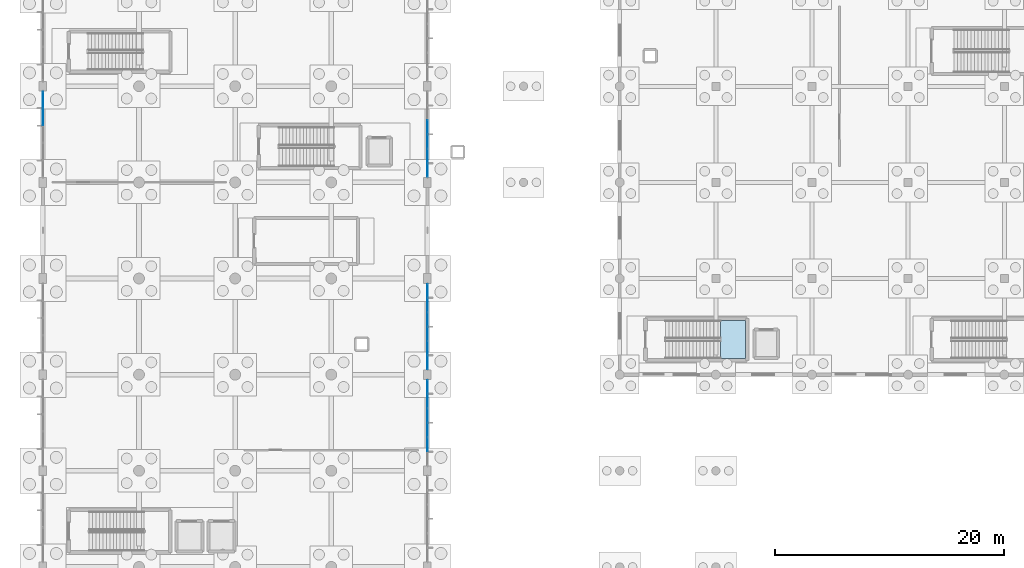
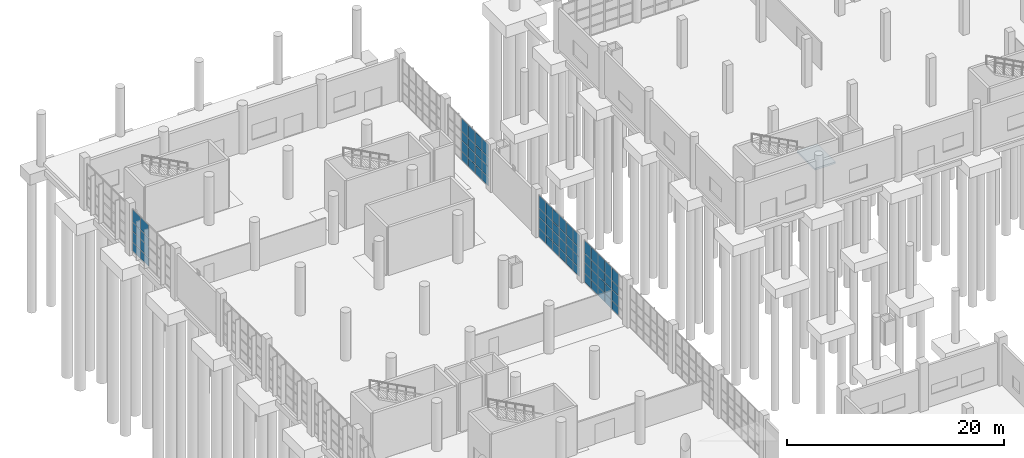
# One storey, part 42 of 83: 68 plates, 1 slab, 5 elements without a shape of their own.
"""IFC4 building model written with IfcOpenShell, lengths in metres."""

from ifc_helpers import new_model, si_unit, direction, frame, origin, origin_2d, place, context, subcontext, project, spatial, polyline, rectangle, outline, extrude, material, layer, layer_set, type_object, element, aggregate, save


model = new_model("IFC4")

# Units and contexts
model_context = context("Model", 3, precision=1e-05, world=origin(), true_north=direction((0.0, 1.0)))
body_context = subcontext(model_context, "Body", "Model", "MODEL_VIEW")
ifc_project = project(units=[si_unit("LENGTHUNIT", "METRE"), si_unit("AREAUNIT", "SQUARE_METRE"), si_unit("VOLUMEUNIT", "CUBIC_METRE"), si_unit("PLANEANGLEUNIT", "RADIAN"), si_unit("MASSUNIT", "GRAM", prefix="KILO"), si_unit("THERMODYNAMICTEMPERATUREUNIT", "KELVIN"), si_unit("POWERUNIT", "WATT")], contexts=[model_context])

# Site, building, storey
site_placement = place(None, origin())
site = spatial("IfcSite", under=ifc_project, at=site_placement, CompositionType="ELEMENT")
building_placement = place(site_placement, origin())
building = spatial("IfcBuilding", under=site, at=building_placement, Name="Mavoryth Pier Ferry Terminal", CompositionType="ELEMENT")
storey_placement = place(building_placement, origin())
storey = spatial("IfcBuildingStorey", under=building, at=storey_placement, Name="L00", CompositionType="ELEMENT", Elevation=0.0)

# Curtain wall, plates
ifc_material_1 = material(Name="Anodised Aluminium and Solar-Control Low-E Glass", Category="aluminium")
ifc_layer_1 = layer(ifc_material_1, 0.199951171875, Name="Anodised Aluminium and Solar-Control Low-E Glass", Category="aluminium")
ifc_layer_set_1 = layer_set([ifc_layer_1], Name="Anodised Aluminium and Solar-Control Low-E Glass - CW-Concourse-Mod1200")
curtain_wall_type_1 = type_object("IfcCurtainWallType", Name="CW-Concourse-Mod1200", PredefinedType="USERDEFINED", material=ifc_layer_set_1)
curtain_wall_1_placement = place(storey_placement, origin())
curtain_wall_1 = element("IfcCurtainWall", 1, at=curtain_wall_1_placement, inside=storey, type_object=curtain_wall_type_1, Name="Curtain Wall CW-0022-014", ObjectType="UNITISED CURTAIN WALL", PredefinedType="USERDEFINED")
ifc_material_2 = material(Name="Solar-Control Low-E Laminated Double Glazing", Category="glass")
ifc_layer_2 = layer(ifc_material_2, 0.02392578125, Name="Solar-Control Low-E Laminated Double Glazing", Category="glass")
ifc_layer_set_2 = layer_set([ifc_layer_2], Name="Solar-Control Low-E Laminated Double Glazing - Panel-LowE-DGU-24")
plate_type = type_object("IfcPlateType", Name="Panel-LowE-DGU-24", PredefinedType="CURTAIN_PANEL", material=ifc_layer_set_2)
plate_1_placement = place(storey_placement, frame((33.60009765625, 66.3125, 0.06005859375), z_axis=(0.0, 0.0, 1.0), x_axis=(0.0, 1.0, 0.0)))
plate_1 = element("IfcPlate", 2, at=plate_1_placement, type_object=plate_type, Name="CW02 panel 2.1", PredefinedType="CURTAIN_PANEL", context=body_context, shape_type="SweptSolid", body=[
    extrude(rectangle(XDim=1.1982421875, YDim=0.02392578125, at=origin_2d()), origin(), (0.0, 0.0, 1.0), 0.9599609375),
])
plate_2_placement = place(storey_placement, frame((33.60009765625, 66.3125, 1.080078125), z_axis=(0.0, 0.0, 1.0), x_axis=(0.0, 1.0, 0.0)))
plate_2 = element("IfcPlate", 3, at=plate_2_placement, type_object=plate_type, Name="CW02 panel 2.2", PredefinedType="CURTAIN_PANEL", context=body_context, shape_type="SweptSolid", body=[
    extrude(rectangle(XDim=1.1982421875, YDim=0.02392578125, at=origin_2d()), origin(), (0.0, 0.0, 1.0), 1.139892578125),
])
plate_3_placement = place(storey_placement, frame((33.60009765625, 66.3125, 2.27978515625), z_axis=(0.0, 0.0, 1.0), x_axis=(0.0, 1.0, 0.0)))
plate_3 = element("IfcPlate", 4, at=plate_3_placement, type_object=plate_type, Name="CW02 panel 2.3", PredefinedType="CURTAIN_PANEL", context=body_context, shape_type="SweptSolid", body=[
    extrude(rectangle(XDim=1.1982421875, YDim=0.02392578125, at=origin_2d()), origin(), (0.0, 0.0, 1.0), 0.989990234375),
])
plate_4_placement = place(storey_placement, frame((33.60009765625, 66.3125, 3.330078125), z_axis=(0.0, 0.0, 1.0), x_axis=(0.0, 1.0, 0.0)))
plate_4 = element("IfcPlate", 5, at=plate_4_placement, type_object=plate_type, Name="CW02 panel 2.4", PredefinedType="CURTAIN_PANEL", context=body_context, shape_type="SweptSolid", body=[
    extrude(rectangle(XDim=1.1982421875, YDim=0.02392578125, at=origin_2d()), origin(), (0.0, 0.0, 1.0), 1.405029296875),
])
plate_5_placement = place(storey_placement, frame((33.60009765625, 67.57080078125, 0.06005859375), z_axis=(0.0, 0.0, 1.0), x_axis=(0.0, 1.0, 0.0)))
plate_5 = element("IfcPlate", 6, at=plate_5_placement, type_object=plate_type, Name="CW02 panel 3.1", PredefinedType="CURTAIN_PANEL", context=body_context, shape_type="SweptSolid", body=[
    extrude(rectangle(XDim=1.1982421875, YDim=0.02392578125, at=origin_2d()), origin(), (0.0, 0.0, 1.0), 0.9599609375),
])
plate_6_placement = place(storey_placement, frame((33.60009765625, 67.57080078125, 1.080078125), z_axis=(0.0, 0.0, 1.0), x_axis=(0.0, 1.0, 0.0)))
plate_6 = element("IfcPlate", 7, at=plate_6_placement, type_object=plate_type, Name="CW02 panel 3.2", PredefinedType="CURTAIN_PANEL", context=body_context, shape_type="SweptSolid", body=[
    extrude(rectangle(XDim=1.1982421875, YDim=0.02392578125, at=origin_2d()), origin(), (0.0, 0.0, 1.0), 1.139892578125),
])
plate_7_placement = place(storey_placement, frame((33.60009765625, 67.57080078125, 2.27978515625), z_axis=(0.0, 0.0, 1.0), x_axis=(0.0, 1.0, 0.0)))
plate_7 = element("IfcPlate", 8, at=plate_7_placement, type_object=plate_type, Name="CW02 panel 3.3", PredefinedType="CURTAIN_PANEL", context=body_context, shape_type="SweptSolid", body=[
    extrude(rectangle(XDim=1.1982421875, YDim=0.02392578125, at=origin_2d()), origin(), (0.0, 0.0, 1.0), 0.989990234375),
])
plate_8_placement = place(storey_placement, frame((33.60009765625, 67.57080078125, 3.330078125), z_axis=(0.0, 0.0, 1.0), x_axis=(0.0, 1.0, 0.0)))
plate_8 = element("IfcPlate", 9, at=plate_8_placement, type_object=plate_type, Name="CW02 panel 3.4", PredefinedType="CURTAIN_PANEL", context=body_context, shape_type="SweptSolid", body=[
    extrude(rectangle(XDim=1.1982421875, YDim=0.02392578125, at=origin_2d()), origin(), (0.0, 0.0, 1.0), 1.405029296875),
])
plate_9_placement = place(storey_placement, frame((33.60009765625, 68.8291015625, 0.06005859375), z_axis=(0.0, 0.0, 1.0), x_axis=(0.0, 1.0, 0.0)))
plate_9 = element("IfcPlate", 10, at=plate_9_placement, type_object=plate_type, Name="CW02 panel 4.1", PredefinedType="CURTAIN_PANEL", context=body_context, shape_type="SweptSolid", body=[
    extrude(rectangle(XDim=1.1982421875, YDim=0.02392578125, at=origin_2d()), origin(), (0.0, 0.0, 1.0), 0.9599609375),
])
plate_10_placement = place(storey_placement, frame((33.60009765625, 68.8291015625, 1.080078125), z_axis=(0.0, 0.0, 1.0), x_axis=(0.0, 1.0, 0.0)))
plate_10 = element("IfcPlate", 11, at=plate_10_placement, type_object=plate_type, Name="CW02 panel 4.2", PredefinedType="CURTAIN_PANEL", context=body_context, shape_type="SweptSolid", body=[
    extrude(rectangle(XDim=1.1982421875, YDim=0.02392578125, at=origin_2d()), origin(), (0.0, 0.0, 1.0), 1.139892578125),
])
plate_11_placement = place(storey_placement, frame((33.60009765625, 68.8291015625, 2.27978515625), z_axis=(0.0, 0.0, 1.0), x_axis=(0.0, 1.0, 0.0)))
plate_11 = element("IfcPlate", 12, at=plate_11_placement, type_object=plate_type, Name="CW02 panel 4.3", PredefinedType="CURTAIN_PANEL", context=body_context, shape_type="SweptSolid", body=[
    extrude(rectangle(XDim=1.1982421875, YDim=0.02392578125, at=origin_2d()), origin(), (0.0, 0.0, 1.0), 0.989990234375),
])
plate_12_placement = place(storey_placement, frame((33.60009765625, 68.8291015625, 3.330078125), z_axis=(0.0, 0.0, 1.0), x_axis=(0.0, 1.0, 0.0)))
plate_12 = element("IfcPlate", 13, at=plate_12_placement, type_object=plate_type, Name="CW02 panel 4.4", PredefinedType="CURTAIN_PANEL", context=body_context, shape_type="SweptSolid", body=[
    extrude(rectangle(XDim=1.1982421875, YDim=0.02392578125, at=origin_2d()), origin(), (0.0, 0.0, 1.0), 1.405029296875),
])
plate_13_placement = place(storey_placement, frame((33.60009765625, 70.08740234375, 0.06005859375), z_axis=(0.0, 0.0, 1.0), x_axis=(0.0, 1.0, 0.0)))
plate_13 = element("IfcPlate", 14, at=plate_13_placement, type_object=plate_type, Name="CW02 panel 5.1", PredefinedType="CURTAIN_PANEL", context=body_context, shape_type="SweptSolid", body=[
    extrude(rectangle(XDim=1.1982421875, YDim=0.02392578125, at=origin_2d()), origin(), (0.0, 0.0, 1.0), 0.9599609375),
])
plate_14_placement = place(storey_placement, frame((33.60009765625, 70.08740234375, 1.080078125), z_axis=(0.0, 0.0, 1.0), x_axis=(0.0, 1.0, 0.0)))
plate_14 = element("IfcPlate", 15, at=plate_14_placement, type_object=plate_type, Name="CW02 panel 5.2", PredefinedType="CURTAIN_PANEL", context=body_context, shape_type="SweptSolid", body=[
    extrude(rectangle(XDim=1.1982421875, YDim=0.02392578125, at=origin_2d()), origin(), (0.0, 0.0, 1.0), 1.139892578125),
])
plate_15_placement = place(storey_placement, frame((33.60009765625, 70.08740234375, 2.27978515625), z_axis=(0.0, 0.0, 1.0), x_axis=(0.0, 1.0, 0.0)))
plate_15 = element("IfcPlate", 16, at=plate_15_placement, type_object=plate_type, Name="CW02 panel 5.3", PredefinedType="CURTAIN_PANEL", context=body_context, shape_type="SweptSolid", body=[
    extrude(rectangle(XDim=1.1982421875, YDim=0.02392578125, at=origin_2d()), origin(), (0.0, 0.0, 1.0), 0.989990234375),
])
plate_16_placement = place(storey_placement, frame((33.60009765625, 70.08740234375, 3.330078125), z_axis=(0.0, 0.0, 1.0), x_axis=(0.0, 1.0, 0.0)))
plate_16 = element("IfcPlate", 17, at=plate_16_placement, type_object=plate_type, Name="CW02 panel 5.4", PredefinedType="CURTAIN_PANEL", context=body_context, shape_type="SweptSolid", body=[
    extrude(rectangle(XDim=1.1982421875, YDim=0.02392578125, at=origin_2d()), origin(), (0.0, 0.0, 1.0), 1.405029296875),
])
plate_17_placement = place(storey_placement, frame((33.60009765625, 71.330810546875, 0.06005859375), z_axis=(0.0, 0.0, 1.0), x_axis=(0.0, 1.0, 0.0)))
plate_17 = element("IfcPlate", 18, at=plate_17_placement, type_object=plate_type, Name="CW02 panel 6.1", PredefinedType="CURTAIN_PANEL", context=body_context, shape_type="SweptSolid", body=[
    extrude(rectangle(XDim=1.168212890625, YDim=0.02392578125, at=origin_2d()), origin(), (0.0, 0.0, 1.0), 0.9599609375),
])
plate_18_placement = place(storey_placement, frame((33.60009765625, 71.330810546875, 1.080078125), z_axis=(0.0, 0.0, 1.0), x_axis=(0.0, 1.0, 0.0)))
plate_18 = element("IfcPlate", 19, at=plate_18_placement, type_object=plate_type, Name="CW02 panel 6.2", PredefinedType="CURTAIN_PANEL", context=body_context, shape_type="SweptSolid", body=[
    extrude(rectangle(XDim=1.168212890625, YDim=0.02392578125, at=origin_2d()), origin(), (0.0, 0.0, 1.0), 1.139892578125),
])
plate_19_placement = place(storey_placement, frame((33.60009765625, 71.330810546875, 2.27978515625), z_axis=(0.0, 0.0, 1.0), x_axis=(0.0, 1.0, 0.0)))
plate_19 = element("IfcPlate", 20, at=plate_19_placement, type_object=plate_type, Name="CW02 panel 6.3", PredefinedType="CURTAIN_PANEL", context=body_context, shape_type="SweptSolid", body=[
    extrude(rectangle(XDim=1.168212890625, YDim=0.02392578125, at=origin_2d()), origin(), (0.0, 0.0, 1.0), 0.989990234375),
])
plate_20_placement = place(storey_placement, frame((33.60009765625, 71.330810546875, 3.330078125), z_axis=(0.0, 0.0, 1.0), x_axis=(0.0, 1.0, 0.0)))
plate_20 = element("IfcPlate", 21, at=plate_20_placement, type_object=plate_type, Name="CW02 panel 6.4", PredefinedType="CURTAIN_PANEL", context=body_context, shape_type="SweptSolid", body=[
    extrude(rectangle(XDim=1.168212890625, YDim=0.02392578125, at=origin_2d()), origin(), (0.0, 0.0, 1.0), 1.405029296875),
])
aggregate(curtain_wall_1, [plate_1, plate_2, plate_3, plate_4, plate_5, plate_6, plate_7, plate_8, plate_9, plate_10, plate_11, plate_12, plate_13, plate_14, plate_15, plate_16, plate_17, plate_18, plate_19, plate_20])

curtain_wall_2_placement = place(storey_placement, origin())
curtain_wall_2 = element("IfcCurtainWall", 22, at=curtain_wall_2_placement, inside=storey, type_object=curtain_wall_type_1, Name="Curtain Wall CW-0022-018", ObjectType="UNITISED CURTAIN WALL", PredefinedType="USERDEFINED")
plate_21_placement = place(storey_placement, frame((33.60009765625, 73.46923828125, 0.06005859375), z_axis=(0.0, 0.0, 1.0), x_axis=(0.0, 1.0, 0.0)))
plate_21 = element("IfcPlate", 23, at=plate_21_placement, type_object=plate_type, Name="CW02 panel 1.1", PredefinedType="CURTAIN_PANEL", context=body_context, shape_type="SweptSolid", body=[
    extrude(rectangle(XDim=1.168212890625, YDim=0.02392578125, at=origin_2d()), origin(), (0.0, 0.0, 1.0), 0.9599609375),
])
plate_22_placement = place(storey_placement, frame((33.60009765625, 73.46923828125, 1.080078125), z_axis=(0.0, 0.0, 1.0), x_axis=(0.0, 1.0, 0.0)))
plate_22 = element("IfcPlate", 24, at=plate_22_placement, type_object=plate_type, Name="CW02 panel 1.2", PredefinedType="CURTAIN_PANEL", context=body_context, shape_type="SweptSolid", body=[
    extrude(rectangle(XDim=1.168212890625, YDim=0.02392578125, at=origin_2d()), origin(), (0.0, 0.0, 1.0), 1.139892578125),
])
plate_23_placement = place(storey_placement, frame((33.60009765625, 73.46923828125, 2.27978515625), z_axis=(0.0, 0.0, 1.0), x_axis=(0.0, 1.0, 0.0)))
plate_23 = element("IfcPlate", 25, at=plate_23_placement, type_object=plate_type, Name="CW02 panel 1.3", PredefinedType="CURTAIN_PANEL", context=body_context, shape_type="SweptSolid", body=[
    extrude(rectangle(XDim=1.168212890625, YDim=0.02392578125, at=origin_2d()), origin(), (0.0, 0.0, 1.0), 0.989990234375),
])
plate_24_placement = place(storey_placement, frame((33.60009765625, 73.46923828125, 3.330078125), z_axis=(0.0, 0.0, 1.0), x_axis=(0.0, 1.0, 0.0)))
plate_24 = element("IfcPlate", 26, at=plate_24_placement, type_object=plate_type, Name="CW02 panel 1.4", PredefinedType="CURTAIN_PANEL", context=body_context, shape_type="SweptSolid", body=[
    extrude(rectangle(XDim=1.168212890625, YDim=0.02392578125, at=origin_2d()), origin(), (0.0, 0.0, 1.0), 1.405029296875),
])
plate_25_placement = place(storey_placement, frame((33.60009765625, 74.71240234375, 0.06005859375), z_axis=(0.0, 0.0, 1.0), x_axis=(0.0, 1.0, 0.0)))
plate_25 = element("IfcPlate", 27, at=plate_25_placement, type_object=plate_type, Name="CW02 panel 2.1", PredefinedType="CURTAIN_PANEL", context=body_context, shape_type="SweptSolid", body=[
    extrude(rectangle(XDim=1.1982421875, YDim=0.02392578125, at=origin_2d()), origin(), (0.0, 0.0, 1.0), 0.9599609375),
])
plate_26_placement = place(storey_placement, frame((33.60009765625, 74.71240234375, 1.080078125), z_axis=(0.0, 0.0, 1.0), x_axis=(0.0, 1.0, 0.0)))
plate_26 = element("IfcPlate", 28, at=plate_26_placement, type_object=plate_type, Name="CW02 panel 2.2", PredefinedType="CURTAIN_PANEL", context=body_context, shape_type="SweptSolid", body=[
    extrude(rectangle(XDim=1.1982421875, YDim=0.02392578125, at=origin_2d()), origin(), (0.0, 0.0, 1.0), 1.139892578125),
])
plate_27_placement = place(storey_placement, frame((33.60009765625, 74.71240234375, 2.27978515625), z_axis=(0.0, 0.0, 1.0), x_axis=(0.0, 1.0, 0.0)))
plate_27 = element("IfcPlate", 29, at=plate_27_placement, type_object=plate_type, Name="CW02 panel 2.3", PredefinedType="CURTAIN_PANEL", context=body_context, shape_type="SweptSolid", body=[
    extrude(rectangle(XDim=1.1982421875, YDim=0.02392578125, at=origin_2d()), origin(), (0.0, 0.0, 1.0), 0.989990234375),
])
plate_28_placement = place(storey_placement, frame((33.60009765625, 74.71240234375, 3.330078125), z_axis=(0.0, 0.0, 1.0), x_axis=(0.0, 1.0, 0.0)))
plate_28 = element("IfcPlate", 30, at=plate_28_placement, type_object=plate_type, Name="CW02 panel 2.4", PredefinedType="CURTAIN_PANEL", context=body_context, shape_type="SweptSolid", body=[
    extrude(rectangle(XDim=1.1982421875, YDim=0.02392578125, at=origin_2d()), origin(), (0.0, 0.0, 1.0), 1.405029296875),
])
plate_29_placement = place(storey_placement, frame((33.60009765625, 75.970947265625, 0.06005859375), z_axis=(0.0, 0.0, 1.0), x_axis=(0.0, 1.0, 0.0)))
plate_29 = element("IfcPlate", 31, at=plate_29_placement, type_object=plate_type, Name="CW02 panel 3.1", PredefinedType="CURTAIN_PANEL", context=body_context, shape_type="SweptSolid", body=[
    extrude(rectangle(XDim=1.1982421875, YDim=0.02392578125, at=origin_2d()), origin(), (0.0, 0.0, 1.0), 0.9599609375),
])
plate_30_placement = place(storey_placement, frame((33.60009765625, 75.970947265625, 1.080078125), z_axis=(0.0, 0.0, 1.0), x_axis=(0.0, 1.0, 0.0)))
plate_30 = element("IfcPlate", 32, at=plate_30_placement, type_object=plate_type, Name="CW02 panel 3.2", PredefinedType="CURTAIN_PANEL", context=body_context, shape_type="SweptSolid", body=[
    extrude(rectangle(XDim=1.1982421875, YDim=0.02392578125, at=origin_2d()), origin(), (0.0, 0.0, 1.0), 1.139892578125),
])
plate_31_placement = place(storey_placement, frame((33.60009765625, 75.970947265625, 2.27978515625), z_axis=(0.0, 0.0, 1.0), x_axis=(0.0, 1.0, 0.0)))
plate_31 = element("IfcPlate", 33, at=plate_31_placement, type_object=plate_type, Name="CW02 panel 3.3", PredefinedType="CURTAIN_PANEL", context=body_context, shape_type="SweptSolid", body=[
    extrude(rectangle(XDim=1.1982421875, YDim=0.02392578125, at=origin_2d()), origin(), (0.0, 0.0, 1.0), 0.989990234375),
])
plate_32_placement = place(storey_placement, frame((33.60009765625, 75.970947265625, 3.330078125), z_axis=(0.0, 0.0, 1.0), x_axis=(0.0, 1.0, 0.0)))
plate_32 = element("IfcPlate", 34, at=plate_32_placement, type_object=plate_type, Name="CW02 panel 3.4", PredefinedType="CURTAIN_PANEL", context=body_context, shape_type="SweptSolid", body=[
    extrude(rectangle(XDim=1.1982421875, YDim=0.02392578125, at=origin_2d()), origin(), (0.0, 0.0, 1.0), 1.405029296875),
])
plate_33_placement = place(storey_placement, frame((33.60009765625, 77.229248046875, 0.06005859375), z_axis=(0.0, 0.0, 1.0), x_axis=(0.0, 1.0, 0.0)))
plate_33 = element("IfcPlate", 35, at=plate_33_placement, type_object=plate_type, Name="CW02 panel 4.1", PredefinedType="CURTAIN_PANEL", context=body_context, shape_type="SweptSolid", body=[
    extrude(rectangle(XDim=1.1982421875, YDim=0.02392578125, at=origin_2d()), origin(), (0.0, 0.0, 1.0), 0.9599609375),
])
plate_34_placement = place(storey_placement, frame((33.60009765625, 77.229248046875, 1.080078125), z_axis=(0.0, 0.0, 1.0), x_axis=(0.0, 1.0, 0.0)))
plate_34 = element("IfcPlate", 36, at=plate_34_placement, type_object=plate_type, Name="CW02 panel 4.2", PredefinedType="CURTAIN_PANEL", context=body_context, shape_type="SweptSolid", body=[
    extrude(rectangle(XDim=1.1982421875, YDim=0.02392578125, at=origin_2d()), origin(), (0.0, 0.0, 1.0), 1.139892578125),
])
plate_35_placement = place(storey_placement, frame((33.60009765625, 77.229248046875, 2.27978515625), z_axis=(0.0, 0.0, 1.0), x_axis=(0.0, 1.0, 0.0)))
plate_35 = element("IfcPlate", 37, at=plate_35_placement, type_object=plate_type, Name="CW02 panel 4.3", PredefinedType="CURTAIN_PANEL", context=body_context, shape_type="SweptSolid", body=[
    extrude(rectangle(XDim=1.1982421875, YDim=0.02392578125, at=origin_2d()), origin(), (0.0, 0.0, 1.0), 0.989990234375),
])
plate_36_placement = place(storey_placement, frame((33.60009765625, 77.229248046875, 3.330078125), z_axis=(0.0, 0.0, 1.0), x_axis=(0.0, 1.0, 0.0)))
plate_36 = element("IfcPlate", 38, at=plate_36_placement, type_object=plate_type, Name="CW02 panel 4.4", PredefinedType="CURTAIN_PANEL", context=body_context, shape_type="SweptSolid", body=[
    extrude(rectangle(XDim=1.1982421875, YDim=0.02392578125, at=origin_2d()), origin(), (0.0, 0.0, 1.0), 1.405029296875),
])
plate_37_placement = place(storey_placement, frame((33.60009765625, 78.487548828125, 0.06005859375), z_axis=(0.0, 0.0, 1.0), x_axis=(0.0, 1.0, 0.0)))
plate_37 = element("IfcPlate", 39, at=plate_37_placement, type_object=plate_type, Name="CW02 panel 5.1", PredefinedType="CURTAIN_PANEL", context=body_context, shape_type="SweptSolid", body=[
    extrude(rectangle(XDim=1.1982421875, YDim=0.02392578125, at=origin_2d()), origin(), (0.0, 0.0, 1.0), 0.9599609375),
])
plate_38_placement = place(storey_placement, frame((33.60009765625, 78.487548828125, 1.080078125), z_axis=(0.0, 0.0, 1.0), x_axis=(0.0, 1.0, 0.0)))
plate_38 = element("IfcPlate", 40, at=plate_38_placement, type_object=plate_type, Name="CW02 panel 5.2", PredefinedType="CURTAIN_PANEL", context=body_context, shape_type="SweptSolid", body=[
    extrude(rectangle(XDim=1.1982421875, YDim=0.02392578125, at=origin_2d()), origin(), (0.0, 0.0, 1.0), 1.139892578125),
])
plate_39_placement = place(storey_placement, frame((33.60009765625, 78.487548828125, 2.27978515625), z_axis=(0.0, 0.0, 1.0), x_axis=(0.0, 1.0, 0.0)))
plate_39 = element("IfcPlate", 41, at=plate_39_placement, type_object=plate_type, Name="CW02 panel 5.3", PredefinedType="CURTAIN_PANEL", context=body_context, shape_type="SweptSolid", body=[
    extrude(rectangle(XDim=1.1982421875, YDim=0.02392578125, at=origin_2d()), origin(), (0.0, 0.0, 1.0), 0.989990234375),
])
plate_40_placement = place(storey_placement, frame((33.60009765625, 78.487548828125, 3.330078125), z_axis=(0.0, 0.0, 1.0), x_axis=(0.0, 1.0, 0.0)))
plate_40 = element("IfcPlate", 42, at=plate_40_placement, type_object=plate_type, Name="CW02 panel 5.4", PredefinedType="CURTAIN_PANEL", context=body_context, shape_type="SweptSolid", body=[
    extrude(rectangle(XDim=1.1982421875, YDim=0.02392578125, at=origin_2d()), origin(), (0.0, 0.0, 1.0), 1.405029296875),
])
plate_41_placement = place(storey_placement, frame((33.60009765625, 79.730712890625, 0.06005859375), z_axis=(0.0, 0.0, 1.0), x_axis=(0.0, 1.0, 0.0)))
plate_41 = element("IfcPlate", 43, at=plate_41_placement, type_object=plate_type, Name="CW02 panel 6.1", PredefinedType="CURTAIN_PANEL", context=body_context, shape_type="SweptSolid", body=[
    extrude(rectangle(XDim=1.168212890625, YDim=0.02392578125, at=origin_2d()), origin(), (0.0, 0.0, 1.0), 0.9599609375),
])
plate_42_placement = place(storey_placement, frame((33.60009765625, 79.730712890625, 1.080078125), z_axis=(0.0, 0.0, 1.0), x_axis=(0.0, 1.0, 0.0)))
plate_42 = element("IfcPlate", 44, at=plate_42_placement, type_object=plate_type, Name="CW02 panel 6.2", PredefinedType="CURTAIN_PANEL", context=body_context, shape_type="SweptSolid", body=[
    extrude(rectangle(XDim=1.168212890625, YDim=0.02392578125, at=origin_2d()), origin(), (0.0, 0.0, 1.0), 1.139892578125),
])
plate_43_placement = place(storey_placement, frame((33.60009765625, 79.730712890625, 2.27978515625), z_axis=(0.0, 0.0, 1.0), x_axis=(0.0, 1.0, 0.0)))
plate_43 = element("IfcPlate", 45, at=plate_43_placement, type_object=plate_type, Name="CW02 panel 6.3", PredefinedType="CURTAIN_PANEL", context=body_context, shape_type="SweptSolid", body=[
    extrude(rectangle(XDim=1.168212890625, YDim=0.02392578125, at=origin_2d()), origin(), (0.0, 0.0, 1.0), 0.989990234375),
])
plate_44_placement = place(storey_placement, frame((33.60009765625, 79.730712890625, 3.330078125), z_axis=(0.0, 0.0, 1.0), x_axis=(0.0, 1.0, 0.0)))
plate_44 = element("IfcPlate", 46, at=plate_44_placement, type_object=plate_type, Name="CW02 panel 6.4", PredefinedType="CURTAIN_PANEL", context=body_context, shape_type="SweptSolid", body=[
    extrude(rectangle(XDim=1.168212890625, YDim=0.02392578125, at=origin_2d()), origin(), (0.0, 0.0, 1.0), 1.405029296875),
])
aggregate(curtain_wall_2, [plate_21, plate_22, plate_23, plate_24, plate_25, plate_26, plate_27, plate_28, plate_29, plate_30, plate_31, plate_32, plate_33, plate_34, plate_35, plate_36, plate_37, plate_38, plate_39, plate_40, plate_41, plate_42, plate_43, plate_44])

ifc_layer_3 = layer(ifc_material_1, 0.179931640625, Name="Anodised Aluminium and Solar-Control Low-E Glass", Category="aluminium")
ifc_layer_set_3 = layer_set([ifc_layer_3], Name="Anodised Aluminium and Solar-Control Low-E Glass - CW-Concourse-Mod1400")
curtain_wall_type_2 = type_object("IfcCurtainWallType", Name="CW-Concourse-Mod1400", PredefinedType="USERDEFINED", material=ifc_layer_set_3)
curtain_wall_3_placement = place(storey_placement, origin())
curtain_wall_3 = element("IfcCurtainWall", 47, at=curtain_wall_3_placement, inside=storey, type_object=curtain_wall_type_2, Name="Curtain Wall CW-0033-025", ObjectType="UNITISED CURTAIN WALL", PredefinedType="USERDEFINED")
plate_45_placement = place(storey_placement, frame((0.0, 96.40380859375, 0.06494140625), z_axis=(0.0, 0.0, 1.0), x_axis=(0.0, -1.0, 0.0)))
plate_45 = element("IfcPlate", 48, at=plate_45_placement, type_object=plate_type, Name="CW01 panel 1.1", PredefinedType="CURTAIN_PANEL", context=body_context, shape_type="SweptSolid", body=[
    extrude(rectangle(XDim=1.41259765625, YDim=0.02392578125, at=origin_2d()), origin(), (0.0, 0.0, 1.0), 0.952392578125),
])
plate_46_placement = place(storey_placement, frame((0.0, 96.40380859375, 1.08251953125), z_axis=(0.0, 0.0, 1.0), x_axis=(0.0, -1.0, 0.0)))
plate_46 = element("IfcPlate", 49, at=plate_46_placement, type_object=plate_type, Name="CW01 panel 1.2", PredefinedType="CURTAIN_PANEL", context=body_context, shape_type="SweptSolid", body=[
    extrude(rectangle(XDim=1.41259765625, YDim=0.02392578125, at=origin_2d()), origin(), (0.0, 0.0, 1.0), 1.135009765625),
])
plate_47_placement = place(storey_placement, frame((0.0, 96.40380859375, 2.2822265625), z_axis=(0.0, 0.0, 1.0), x_axis=(0.0, -1.0, 0.0)))
plate_47 = element("IfcPlate", 50, at=plate_47_placement, type_object=plate_type, Name="CW01 panel 1.3", PredefinedType="CURTAIN_PANEL", context=body_context, shape_type="SweptSolid", body=[
    extrude(rectangle(XDim=1.41259765625, YDim=0.02392578125, at=origin_2d()), origin(), (0.0, 0.0, 1.0), 0.985107421875),
])
plate_48_placement = place(storey_placement, frame((0.0, 96.40380859375, 3.33251953125), z_axis=(0.0, 0.0, 1.0), x_axis=(0.0, -1.0, 0.0)))
plate_48 = element("IfcPlate", 51, at=plate_48_placement, type_object=plate_type, Name="CW01 panel 1.4", PredefinedType="CURTAIN_PANEL", context=body_context, shape_type="SweptSolid", body=[
    extrude(rectangle(XDim=1.41259765625, YDim=0.02392578125, at=origin_2d()), origin(), (0.0, 0.0, 1.0), 1.3974609375),
])
plate_49_placement = place(storey_placement, frame((0.0, 94.909912109375, 0.06494140625), z_axis=(0.0, 0.0, 1.0), x_axis=(0.0, -1.0, 0.0)))
plate_49 = element("IfcPlate", 52, at=plate_49_placement, type_object=plate_type, Name="CW01 panel 2.1", PredefinedType="CURTAIN_PANEL", context=body_context, shape_type="SweptSolid", body=[
    extrude(rectangle(XDim=1.445068359375, YDim=0.02392578125, at=origin_2d()), origin(), (0.0, 0.0, 1.0), 0.952392578125),
])
plate_50_placement = place(storey_placement, frame((0.0, 94.909912109375, 1.08251953125), z_axis=(0.0, 0.0, 1.0), x_axis=(0.0, -1.0, 0.0)))
plate_50 = element("IfcPlate", 53, at=plate_50_placement, type_object=plate_type, Name="CW01 panel 2.2", PredefinedType="CURTAIN_PANEL", context=body_context, shape_type="SweptSolid", body=[
    extrude(rectangle(XDim=1.445068359375, YDim=0.02392578125, at=origin_2d()), origin(), (0.0, 0.0, 1.0), 1.135009765625),
])
plate_51_placement = place(storey_placement, frame((0.0, 94.909912109375, 2.2822265625), z_axis=(0.0, 0.0, 1.0), x_axis=(0.0, -1.0, 0.0)))
plate_51 = element("IfcPlate", 54, at=plate_51_placement, type_object=plate_type, Name="CW01 panel 2.3", PredefinedType="CURTAIN_PANEL", context=body_context, shape_type="SweptSolid", body=[
    extrude(rectangle(XDim=1.445068359375, YDim=0.02392578125, at=origin_2d()), origin(), (0.0, 0.0, 1.0), 0.985107421875),
])
plate_52_placement = place(storey_placement, frame((0.0, 94.909912109375, 3.33251953125), z_axis=(0.0, 0.0, 1.0), x_axis=(0.0, -1.0, 0.0)))
plate_52 = element("IfcPlate", 55, at=plate_52_placement, type_object=plate_type, Name="CW01 panel 2.4", PredefinedType="CURTAIN_PANEL", context=body_context, shape_type="SweptSolid", body=[
    extrude(rectangle(XDim=1.445068359375, YDim=0.02392578125, at=origin_2d()), origin(), (0.0, 0.0, 1.0), 1.3974609375),
])
aggregate(curtain_wall_3, [plate_45, plate_46, plate_47, plate_48, plate_49, plate_50, plate_51, plate_52])

curtain_wall_4_placement = place(storey_placement, origin())
curtain_wall_4 = element("IfcCurtainWall", 56, at=curtain_wall_4_placement, inside=storey, type_object=curtain_wall_type_1, Name="Curtain Wall CW-0022-026", ObjectType="UNITISED CURTAIN WALL", PredefinedType="USERDEFINED")
plate_53_placement = place(storey_placement, frame((33.60009765625, 90.269287109375, 0.06005859375), z_axis=(0.0, 0.0, 1.0), x_axis=(0.0, 1.0, 0.0)))
plate_53 = element("IfcPlate", 57, at=plate_53_placement, type_object=plate_type, Name="CW02 panel 1.1", PredefinedType="CURTAIN_PANEL", context=body_context, shape_type="SweptSolid", body=[
    extrude(rectangle(XDim=1.168212890625, YDim=0.02392578125, at=origin_2d()), origin(), (0.0, 0.0, 1.0), 0.9599609375),
])
plate_54_placement = place(storey_placement, frame((33.60009765625, 90.269287109375, 1.080078125), z_axis=(0.0, 0.0, 1.0), x_axis=(0.0, 1.0, 0.0)))
plate_54 = element("IfcPlate", 58, at=plate_54_placement, type_object=plate_type, Name="CW02 panel 1.2", PredefinedType="CURTAIN_PANEL", context=body_context, shape_type="SweptSolid", body=[
    extrude(rectangle(XDim=1.168212890625, YDim=0.02392578125, at=origin_2d()), origin(), (0.0, 0.0, 1.0), 1.139892578125),
])
plate_55_placement = place(storey_placement, frame((33.60009765625, 90.269287109375, 2.27978515625), z_axis=(0.0, 0.0, 1.0), x_axis=(0.0, 1.0, 0.0)))
plate_55 = element("IfcPlate", 59, at=plate_55_placement, type_object=plate_type, Name="CW02 panel 1.3", PredefinedType="CURTAIN_PANEL", context=body_context, shape_type="SweptSolid", body=[
    extrude(rectangle(XDim=1.168212890625, YDim=0.02392578125, at=origin_2d()), origin(), (0.0, 0.0, 1.0), 0.989990234375),
])
plate_56_placement = place(storey_placement, frame((33.60009765625, 90.269287109375, 3.330078125), z_axis=(0.0, 0.0, 1.0), x_axis=(0.0, 1.0, 0.0)))
plate_56 = element("IfcPlate", 60, at=plate_56_placement, type_object=plate_type, Name="CW02 panel 1.4", PredefinedType="CURTAIN_PANEL", context=body_context, shape_type="SweptSolid", body=[
    extrude(rectangle(XDim=1.168212890625, YDim=0.02392578125, at=origin_2d()), origin(), (0.0, 0.0, 1.0), 1.405029296875),
])
plate_57_placement = place(storey_placement, frame((33.60009765625, 91.512451171875, 0.06005859375), z_axis=(0.0, 0.0, 1.0), x_axis=(0.0, 1.0, 0.0)))
plate_57 = element("IfcPlate", 61, at=plate_57_placement, type_object=plate_type, Name="CW02 panel 2.1", PredefinedType="CURTAIN_PANEL", context=body_context, shape_type="SweptSolid", body=[
    extrude(rectangle(XDim=1.1982421875, YDim=0.02392578125, at=origin_2d()), origin(), (0.0, 0.0, 1.0), 0.9599609375),
])
plate_58_placement = place(storey_placement, frame((33.60009765625, 91.512451171875, 1.080078125), z_axis=(0.0, 0.0, 1.0), x_axis=(0.0, 1.0, 0.0)))
plate_58 = element("IfcPlate", 62, at=plate_58_placement, type_object=plate_type, Name="CW02 panel 2.2", PredefinedType="CURTAIN_PANEL", context=body_context, shape_type="SweptSolid", body=[
    extrude(rectangle(XDim=1.1982421875, YDim=0.02392578125, at=origin_2d()), origin(), (0.0, 0.0, 1.0), 1.139892578125),
])
plate_59_placement = place(storey_placement, frame((33.60009765625, 91.512451171875, 2.27978515625), z_axis=(0.0, 0.0, 1.0), x_axis=(0.0, 1.0, 0.0)))
plate_59 = element("IfcPlate", 63, at=plate_59_placement, type_object=plate_type, Name="CW02 panel 2.3", PredefinedType="CURTAIN_PANEL", context=body_context, shape_type="SweptSolid", body=[
    extrude(rectangle(XDim=1.1982421875, YDim=0.02392578125, at=origin_2d()), origin(), (0.0, 0.0, 1.0), 0.989990234375),
])
plate_60_placement = place(storey_placement, frame((33.60009765625, 91.512451171875, 3.330078125), z_axis=(0.0, 0.0, 1.0), x_axis=(0.0, 1.0, 0.0)))
plate_60 = element("IfcPlate", 64, at=plate_60_placement, type_object=plate_type, Name="CW02 panel 2.4", PredefinedType="CURTAIN_PANEL", context=body_context, shape_type="SweptSolid", body=[
    extrude(rectangle(XDim=1.1982421875, YDim=0.02392578125, at=origin_2d()), origin(), (0.0, 0.0, 1.0), 1.405029296875),
])
plate_61_placement = place(storey_placement, frame((33.60009765625, 92.770751953125, 0.06005859375), z_axis=(0.0, 0.0, 1.0), x_axis=(0.0, 1.0, 0.0)))
plate_61 = element("IfcPlate", 65, at=plate_61_placement, type_object=plate_type, Name="CW02 panel 3.1", PredefinedType="CURTAIN_PANEL", context=body_context, shape_type="SweptSolid", body=[
    extrude(rectangle(XDim=1.1982421875, YDim=0.02392578125, at=origin_2d()), origin(), (0.0, 0.0, 1.0), 0.9599609375),
])
plate_62_placement = place(storey_placement, frame((33.60009765625, 92.770751953125, 1.080078125), z_axis=(0.0, 0.0, 1.0), x_axis=(0.0, 1.0, 0.0)))
plate_62 = element("IfcPlate", 66, at=plate_62_placement, type_object=plate_type, Name="CW02 panel 3.2", PredefinedType="CURTAIN_PANEL", context=body_context, shape_type="SweptSolid", body=[
    extrude(rectangle(XDim=1.1982421875, YDim=0.02392578125, at=origin_2d()), origin(), (0.0, 0.0, 1.0), 1.139892578125),
])
plate_63_placement = place(storey_placement, frame((33.60009765625, 92.770751953125, 2.27978515625), z_axis=(0.0, 0.0, 1.0), x_axis=(0.0, 1.0, 0.0)))
plate_63 = element("IfcPlate", 67, at=plate_63_placement, type_object=plate_type, Name="CW02 panel 3.3", PredefinedType="CURTAIN_PANEL", context=body_context, shape_type="SweptSolid", body=[
    extrude(rectangle(XDim=1.1982421875, YDim=0.02392578125, at=origin_2d()), origin(), (0.0, 0.0, 1.0), 0.989990234375),
])
plate_64_placement = place(storey_placement, frame((33.60009765625, 92.770751953125, 3.330078125), z_axis=(0.0, 0.0, 1.0), x_axis=(0.0, 1.0, 0.0)))
plate_64 = element("IfcPlate", 68, at=plate_64_placement, type_object=plate_type, Name="CW02 panel 3.4", PredefinedType="CURTAIN_PANEL", context=body_context, shape_type="SweptSolid", body=[
    extrude(rectangle(XDim=1.1982421875, YDim=0.02392578125, at=origin_2d()), origin(), (0.0, 0.0, 1.0), 1.405029296875),
])
plate_65_placement = place(storey_placement, frame((33.60009765625, 94.029052734375, 0.06005859375), z_axis=(0.0, 0.0, 1.0), x_axis=(0.0, 1.0, 0.0)))
plate_65 = element("IfcPlate", 69, at=plate_65_placement, type_object=plate_type, Name="CW02 panel 4.1", PredefinedType="CURTAIN_PANEL", context=body_context, shape_type="SweptSolid", body=[
    extrude(rectangle(XDim=1.1982421875, YDim=0.02392578125, at=origin_2d()), origin(), (0.0, 0.0, 1.0), 0.9599609375),
])
plate_66_placement = place(storey_placement, frame((33.60009765625, 94.029052734375, 1.080078125), z_axis=(0.0, 0.0, 1.0), x_axis=(0.0, 1.0, 0.0)))
plate_66 = element("IfcPlate", 70, at=plate_66_placement, type_object=plate_type, Name="CW02 panel 4.2", PredefinedType="CURTAIN_PANEL", context=body_context, shape_type="SweptSolid", body=[
    extrude(rectangle(XDim=1.1982421875, YDim=0.02392578125, at=origin_2d()), origin(), (0.0, 0.0, 1.0), 1.139892578125),
])
plate_67_placement = place(storey_placement, frame((33.60009765625, 94.029052734375, 2.27978515625), z_axis=(0.0, 0.0, 1.0), x_axis=(0.0, 1.0, 0.0)))
plate_67 = element("IfcPlate", 71, at=plate_67_placement, type_object=plate_type, Name="CW02 panel 4.3", PredefinedType="CURTAIN_PANEL", context=body_context, shape_type="SweptSolid", body=[
    extrude(rectangle(XDim=1.1982421875, YDim=0.02392578125, at=origin_2d()), origin(), (0.0, 0.0, 1.0), 0.989990234375),
])
plate_68_placement = place(storey_placement, frame((33.60009765625, 94.029052734375, 3.330078125), z_axis=(0.0, 0.0, 1.0), x_axis=(0.0, 1.0, 0.0)))
plate_68 = element("IfcPlate", 72, at=plate_68_placement, type_object=plate_type, Name="CW02 panel 4.4", PredefinedType="CURTAIN_PANEL", context=body_context, shape_type="SweptSolid", body=[
    extrude(rectangle(XDim=1.1982421875, YDim=0.02392578125, at=origin_2d()), origin(), (0.0, 0.0, 1.0), 1.405029296875),
])
aggregate(curtain_wall_4, [plate_53, plate_54, plate_55, plate_56, plate_57, plate_58, plate_59, plate_60, plate_61, plate_62, plate_63, plate_64, plate_65, plate_66, plate_67, plate_68])

# Stair, slab
ifc_material_3 = material(Name="Concrete C35/45", Category="concrete")
stair_type = type_object("IfcStairType", Name="Stair-Core-W1600", PredefinedType="TWO_STRAIGHT_RUN_STAIR", material=ifc_material_3)
stair_placement = place(storey_placement, origin())
stair = element("IfcStair", 73, at=stair_placement, inside=storey, type_object=stair_type, Name="L00 Core C2A Stair", PredefinedType="TWO_STRAIGHT_RUN_STAIR")
ifc_layer_4 = layer(ifc_material_3, 0.199951171875, Name="Concrete C35/45", Category="concrete")
ifc_layer_set_4 = layer_set([ifc_layer_4], Name="Concrete C35/45 - Slab-Landing-RC-200")
slab_type = type_object("IfcSlabType", Name="Slab-Landing-RC-200", PredefinedType="LANDING", material=ifc_layer_set_4)
slab_placement = place(storey_placement, frame((0.0, 0.0, 2.52001953125)))
slab = element("IfcSlab", 74, at=slab_placement, type_object=slab_type, Name="ST04 landing 1", PredefinedType="LANDING", context=body_context, shape_type="SweptSolid", body=[
    extrude(outline(polyline([(59.199951171875, 73.800048828125), (61.39990234375, 73.800048828125), (61.39990234375, 77.14990234375), (59.199951171875, 77.14990234375), (59.199951171875, 73.800048828125)])), origin(), (0.0, 0.0, 1.0), 0.199951171875),
])
aggregate(stair, [slab])

save(model, "model.ifc")
